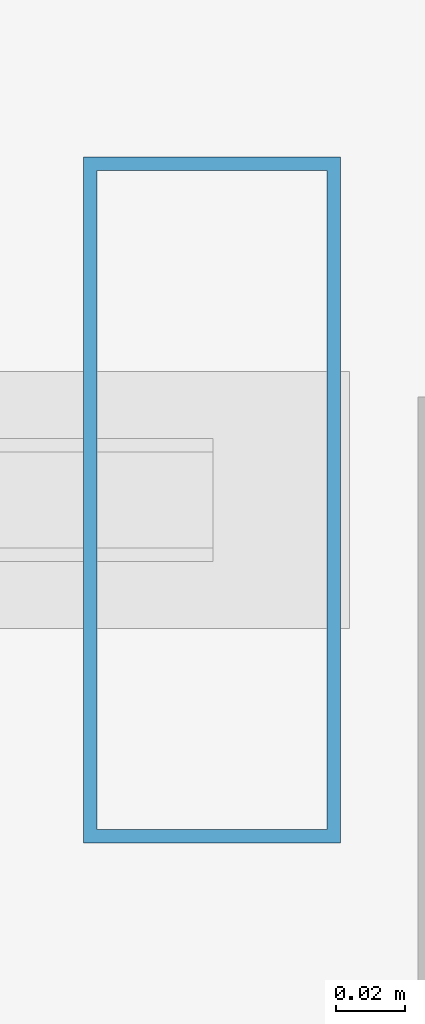
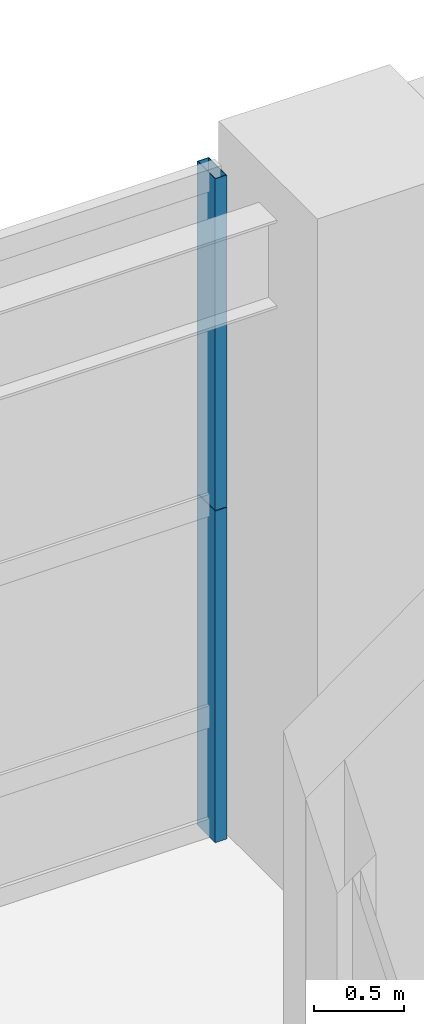
# One storey, part 27 of 38: 2 members, 1 element without a shape of its own.
"""IFC4 building model written with IfcOpenShell, lengths in metres."""

from ifc_helpers import new_model, si_unit, direction, frame, origin, origin_2d, place, context, subcontext, project, spatial, hollow_rectangle, extrude, source, transform, mapped, material, layer, layer_set, material_profile, profile_set, type_object, element, aggregate, save


model = new_model("IFC4")

# Units and contexts
model_context = context("Model", 3, precision=1e-05, world=origin(), true_north=direction((0.0, 1.0)))
body_context = subcontext(model_context, "Body", "Model", "MODEL_VIEW")
ifc_project = project(units=[si_unit("LENGTHUNIT", "METRE"), si_unit("AREAUNIT", "SQUARE_METRE"), si_unit("VOLUMEUNIT", "CUBIC_METRE"), si_unit("PLANEANGLEUNIT", "RADIAN"), si_unit("MASSUNIT", "GRAM", prefix="KILO"), si_unit("THERMODYNAMICTEMPERATUREUNIT", "KELVIN"), si_unit("POWERUNIT", "WATT")], contexts=[model_context])

# Site, building, storey
site_placement = place(None, origin())
site = spatial("IfcSite", under=ifc_project, at=site_placement, CompositionType="ELEMENT")
building_placement = place(site_placement, origin())
building = spatial("IfcBuilding", under=site, at=building_placement, Name="Yuzanri Waterfront Tower", CompositionType="ELEMENT")
storey_placement = place(building_placement, frame((0.0, 0.0, 10.199951171875)))
storey = spatial("IfcBuildingStorey", under=building, at=storey_placement, Name="L03", CompositionType="ELEMENT", Elevation=10.199951171875)

# Curtain wall, members
ifc_material_1 = material(Name="Anodized Architectural Bronze", Category="metal")
ifc_layer = layer(ifc_material_1, 0.159912109375)
ifc_layer_set = layer_set([ifc_layer], Name="Anodized Architectural Bronze")
curtain_wall_type = type_object("IfcCurtainWallType", Name="Anodized Bronze Podium Waterfront Double-Height Unitized Curtain Wall 8400", PredefinedType="NOTDEFINED", material=ifc_layer_set)
curtain_wall_placement = place(storey_placement, origin())
curtain_wall = element("IfcCurtainWall", 1, at=curtain_wall_placement, inside=storey, type_object=curtain_wall_type, Name="L03 Curtain Wall CW-L03-N2", PredefinedType="NOTDEFINED")
ifc_material_2 = material(Name="Anodized Architectural Bronze", Category="metal")
ifc_material_profile = material_profile(ifc_material_2, hollow_rectangle(XDim=0.074951171875, YDim=0.199951171875, WallThickness=0.00390625, at=origin_2d()), Name="CWM 75x200")
ifc_profile_set = profile_set([ifc_material_profile], Name="Anodized Architectural Bronze")
member_type = type_object("IfcMemberType", Name="Anodized Bronze Primary Curtain-Wall Mullion 75x200", PredefinedType="MULLION", material=ifc_profile_set)
shared_shape = source(origin(), body_context, "Body", "SweptSolid", [
    extrude(hollow_rectangle(XDim=0.074951171875, YDim=0.199951171875, WallThickness=0.00390625, at=origin_2d()), origin(), (0.0, 0.0, 1.0), 2.258056640625),
])
member_1_placement = place(storey_placement, frame((57.889892578125, 49.6201171875, 0.0), z_axis=(0.0, 0.0, 1.0), x_axis=(1.0, 0.0, 0.0)))
member_1 = element("IfcMember", 2, at=member_1_placement, type_object=member_type, Name="CW-L03-N2 Lower Mullion 02", PredefinedType="MULLION", context=body_context, shape_type="MappedRepresentation", body=[
    mapped(shared_shape, transform((0.0, 0.0, 0.0), scale=1.0)),
])
member_2_placement = place(storey_placement, frame((57.889892578125, 49.6201171875, 2.261962890625), z_axis=(0.0, 0.0, 1.0), x_axis=(1.0, 0.0, 0.0)))
member_2 = element("IfcMember", 3, at=member_2_placement, type_object=member_type, Name="CW-L03-N2 Upper Mullion 02", PredefinedType="MULLION", context=body_context, shape_type="MappedRepresentation", body=[
    mapped(shared_shape, transform((0.0, 0.0, 0.0), scale=1.0)),
])
aggregate(curtain_wall, [member_1, member_2])

save(model, "model.ifc")
